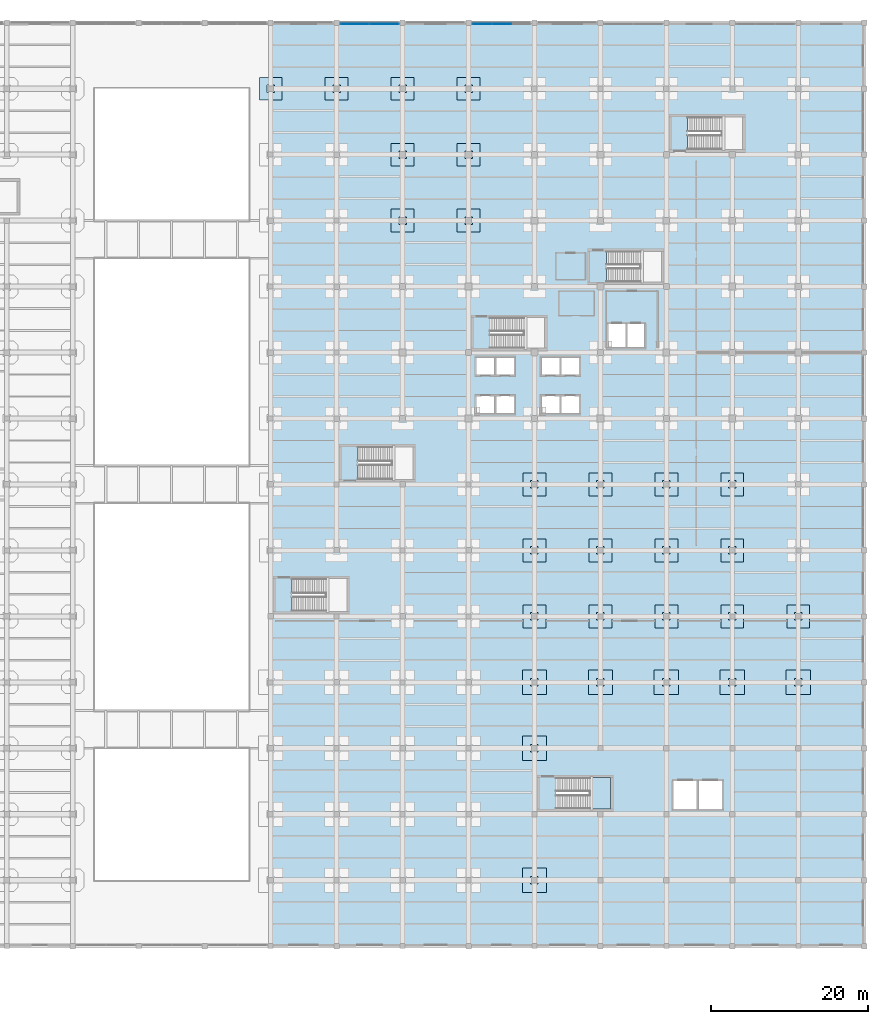
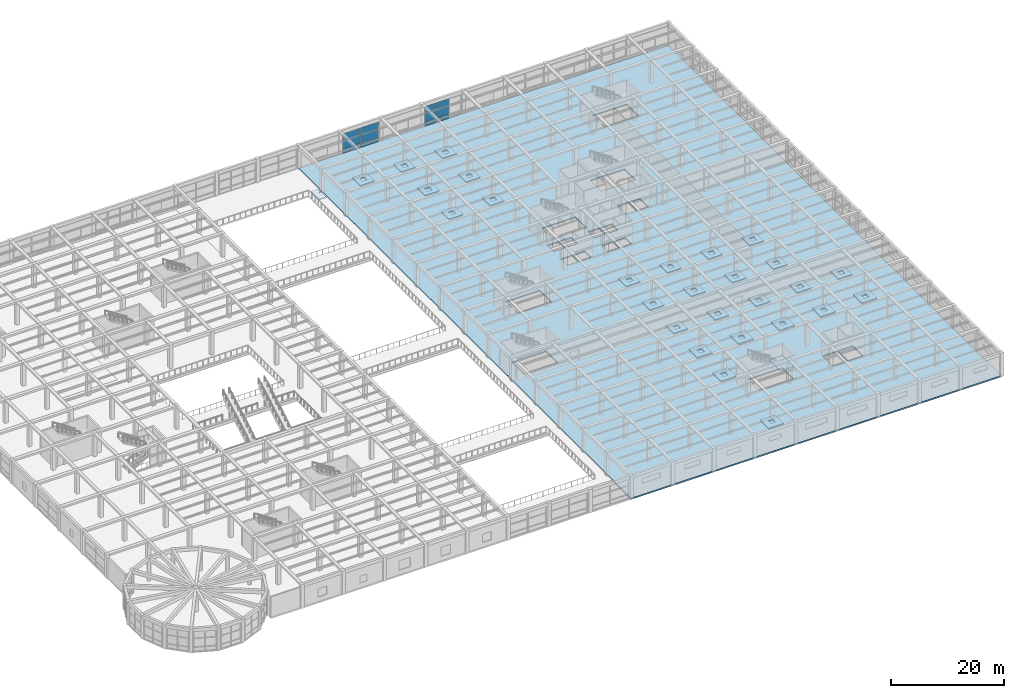
# One storey, part 74 of 96: 30 slabs, 12 plates, 3 elements without a shape of their own.
"""IFC4 building model written with IfcOpenShell, lengths in metres."""

from ifc_helpers import new_model, si_unit, direction, frame, origin, origin_2d, place, context, subcontext, project, spatial, polyline, rectangle, outline, extrude, material, layer, layer_set, type_object, element, aggregate, save


model = new_model("IFC4")

# Units and contexts
model_context = context("Model", 3, precision=1e-05, world=origin(), true_north=direction((0.0, 1.0)))
body_context = subcontext(model_context, "Body", "Model", "MODEL_VIEW")
ifc_project = project(units=[si_unit("LENGTHUNIT", "METRE"), si_unit("AREAUNIT", "SQUARE_METRE"), si_unit("VOLUMEUNIT", "CUBIC_METRE"), si_unit("PLANEANGLEUNIT", "RADIAN"), si_unit("MASSUNIT", "GRAM", prefix="KILO")], contexts=[model_context])

# Site, building, storey
site_placement = place(None, origin())
site = spatial("IfcSite", under=ifc_project, at=site_placement, CompositionType="ELEMENT")
building_placement = place(site_placement, origin())
building = spatial("IfcBuilding", under=site, at=building_placement, Name="Almacenes y Pasaje Nevantli", CompositionType="ELEMENT")
storey_placement = place(building_placement, frame((0.0, 0.0, 6.0)))
storey = spatial("IfcBuildingStorey", under=building, at=storey_placement, Name="L02", CompositionType="ELEMENT", Elevation=6.0)

# Curtain wall, plates
ifc_material_1 = material(Name="Thermally Broken Aluminium and Low-E Glass", Category="aluminium")
curtain_wall_type = type_object("IfcCurtainWallType", Name="CW-STF-BLVD", PredefinedType="USERDEFINED", material=ifc_material_1)
curtain_wall_1_placement = place(storey_placement, origin())
curtain_wall_1 = element("IfcCurtainWall", 1, at=curtain_wall_1_placement, inside=storey, type_object=curtain_wall_type, Name="L02 North Boulevard Retail Curtain Wall Bay 13", ObjectType="STOREFRONT GLAZING", PredefinedType="USERDEFINED")
ifc_material_2 = material(Name="Low-E Double Glazed Insulated Unit", Category="glass")
ifc_layer_1 = layer(ifc_material_2, 0.031982421875)
ifc_layer_set_1 = layer_set([ifc_layer_1], Name="Low-E Double Glazed Insulated Unit")
plate_type = type_object("IfcPlateType", Name="PL-IGU-32", PredefinedType="CURTAIN_PANEL", material=ifc_layer_set_1)
plate_1_placement = place(storey_placement, frame((103.139892578125, 117.449951171875, 0.06005859375), z_axis=(0.0, 0.0, 1.0), x_axis=(1.0, 0.0, 0.0)))
plate_1 = element("IfcPlate", 2, at=plate_1_placement, type_object=plate_type, Name="CW-L02-008 panel 1.1", PredefinedType="CURTAIN_PANEL", context=body_context, shape_type="SweptSolid", body=[
    extrude(rectangle(XDim=3.659912109375, YDim=0.031982421875, at=origin_2d()), origin(), (0.0, 0.0, 1.0), 0.860107421875),
])
plate_2_placement = place(storey_placement, frame((103.139892578125, 117.449951171875, 0.97998046875), z_axis=(0.0, 0.0, 1.0), x_axis=(1.0, 0.0, 0.0)))
plate_2 = element("IfcPlate", 3, at=plate_2_placement, type_object=plate_type, Name="CW-L02-008 panel 1.2", PredefinedType="CURTAIN_PANEL", context=body_context, shape_type="SweptSolid", body=[
    extrude(rectangle(XDim=3.659912109375, YDim=0.031982421875, at=origin_2d()), origin(), (0.0, 0.0, 1.0), 1.840087890625),
])
plate_3_placement = place(storey_placement, frame((103.139892578125, 117.449951171875, 2.880126953125), z_axis=(0.0, 0.0, 1.0), x_axis=(1.0, 0.0, 0.0)))
plate_3 = element("IfcPlate", 4, at=plate_3_placement, type_object=plate_type, Name="CW-L02-008 panel 1.3", PredefinedType="CURTAIN_PANEL", context=body_context, shape_type="SweptSolid", body=[
    extrude(rectangle(XDim=3.659912109375, YDim=0.031982421875, at=origin_2d()), origin(), (0.0, 0.0, 1.0), 1.43994140625),
])
plate_4_placement = place(storey_placement, frame((106.860107421875, 117.449951171875, 0.06005859375), z_axis=(0.0, 0.0, 1.0), x_axis=(1.0, 0.0, 0.0)))
plate_4 = element("IfcPlate", 5, at=plate_4_placement, type_object=plate_type, Name="CW-L02-008 panel 2.1", PredefinedType="CURTAIN_PANEL", context=body_context, shape_type="SweptSolid", body=[
    extrude(rectangle(XDim=3.659912109375, YDim=0.031982421875, at=origin_2d()), origin(), (0.0, 0.0, 1.0), 0.860107421875),
])
plate_5_placement = place(storey_placement, frame((106.860107421875, 117.449951171875, 0.97998046875), z_axis=(0.0, 0.0, 1.0), x_axis=(1.0, 0.0, 0.0)))
plate_5 = element("IfcPlate", 6, at=plate_5_placement, type_object=plate_type, Name="CW-L02-008 panel 2.2", PredefinedType="CURTAIN_PANEL", context=body_context, shape_type="SweptSolid", body=[
    extrude(rectangle(XDim=3.659912109375, YDim=0.031982421875, at=origin_2d()), origin(), (0.0, 0.0, 1.0), 1.840087890625),
])
plate_6_placement = place(storey_placement, frame((106.860107421875, 117.449951171875, 2.880126953125), z_axis=(0.0, 0.0, 1.0), x_axis=(1.0, 0.0, 0.0)))
plate_6 = element("IfcPlate", 7, at=plate_6_placement, type_object=plate_type, Name="CW-L02-008 panel 2.3", PredefinedType="CURTAIN_PANEL", context=body_context, shape_type="SweptSolid", body=[
    extrude(rectangle(XDim=3.659912109375, YDim=0.031982421875, at=origin_2d()), origin(), (0.0, 0.0, 1.0), 1.43994140625),
])
aggregate(curtain_wall_1, [plate_1, plate_2, plate_3, plate_4, plate_5, plate_6])

curtain_wall_2_placement = place(storey_placement, origin())
curtain_wall_2 = element("IfcCurtainWall", 8, at=curtain_wall_2_placement, inside=storey, type_object=curtain_wall_type, Name="L02 North Boulevard Retail Curtain Wall Bay 15", ObjectType="STOREFRONT GLAZING", PredefinedType="USERDEFINED")
plate_7_placement = place(storey_placement, frame((119.31494140625, 117.449951171875, 0.06005859375), z_axis=(0.0, 0.0, 1.0), x_axis=(1.0, 0.0, 0.0)))
plate_7 = element("IfcPlate", 9, at=plate_7_placement, type_object=plate_type, Name="CW-L02-009 panel 1.1", PredefinedType="CURTAIN_PANEL", context=body_context, shape_type="SweptSolid", body=[
    extrude(rectangle(XDim=2.409912109375, YDim=0.031982421875, at=origin_2d()), origin(), (0.0, 0.0, 1.0), 0.860107421875),
])
plate_8_placement = place(storey_placement, frame((119.31494140625, 117.449951171875, 0.97998046875), z_axis=(0.0, 0.0, 1.0), x_axis=(1.0, 0.0, 0.0)))
plate_8 = element("IfcPlate", 10, at=plate_8_placement, type_object=plate_type, Name="CW-L02-009 panel 1.2", PredefinedType="CURTAIN_PANEL", context=body_context, shape_type="SweptSolid", body=[
    extrude(rectangle(XDim=2.409912109375, YDim=0.031982421875, at=origin_2d()), origin(), (0.0, 0.0, 1.0), 1.840087890625),
])
plate_9_placement = place(storey_placement, frame((119.31494140625, 117.449951171875, 2.880126953125), z_axis=(0.0, 0.0, 1.0), x_axis=(1.0, 0.0, 0.0)))
plate_9 = element("IfcPlate", 11, at=plate_9_placement, type_object=plate_type, Name="CW-L02-009 panel 1.3", PredefinedType="CURTAIN_PANEL", context=body_context, shape_type="SweptSolid", body=[
    extrude(rectangle(XDim=2.409912109375, YDim=0.031982421875, at=origin_2d()), origin(), (0.0, 0.0, 1.0), 1.43994140625),
])
plate_10_placement = place(storey_placement, frame((121.800048828125, 117.449951171875, 0.06005859375), z_axis=(0.0, 0.0, 1.0), x_axis=(1.0, 0.0, 0.0)))
plate_10 = element("IfcPlate", 12, at=plate_10_placement, type_object=plate_type, Name="CW-L02-009 panel 2.1", PredefinedType="CURTAIN_PANEL", context=body_context, shape_type="SweptSolid", body=[
    extrude(rectangle(XDim=2.43994140625, YDim=0.031982421875, at=origin_2d()), origin(), (0.0, 0.0, 1.0), 0.860107421875),
])
plate_11_placement = place(storey_placement, frame((121.800048828125, 117.449951171875, 0.97998046875), z_axis=(0.0, 0.0, 1.0), x_axis=(1.0, 0.0, 0.0)))
plate_11 = element("IfcPlate", 13, at=plate_11_placement, type_object=plate_type, Name="CW-L02-009 panel 2.2", PredefinedType="CURTAIN_PANEL", context=body_context, shape_type="SweptSolid", body=[
    extrude(rectangle(XDim=2.43994140625, YDim=0.031982421875, at=origin_2d()), origin(), (0.0, 0.0, 1.0), 1.840087890625),
])
plate_12_placement = place(storey_placement, frame((121.800048828125, 117.449951171875, 2.880126953125), z_axis=(0.0, 0.0, 1.0), x_axis=(1.0, 0.0, 0.0)))
plate_12 = element("IfcPlate", 14, at=plate_12_placement, type_object=plate_type, Name="CW-L02-009 panel 2.3", PredefinedType="CURTAIN_PANEL", context=body_context, shape_type="SweptSolid", body=[
    extrude(rectangle(XDim=2.43994140625, YDim=0.031982421875, at=origin_2d()), origin(), (0.0, 0.0, 1.0), 1.43994140625),
])
aggregate(curtain_wall_2, [plate_7, plate_8, plate_9, plate_10, plate_11, plate_12])

# Slabs
ifc_material_3 = material(Name="Concrete C35/45", Category="concrete")
ifc_layer_2 = layer(ifc_material_3, 0.25)
ifc_layer_set_2 = layer_set([ifc_layer_2], Name="Concrete C35/45")
slab_type_1 = type_object("IfcSlabType", Name="SLB-DP-250", PredefinedType="USERDEFINED", material=ifc_layer_set_2)
slab_1_placement = place(storey_placement, frame((0.0, 0.0, -0.550048828125)))
element("IfcSlab", 15, at=slab_1_placement, inside=storey, type_object=slab_type_1, Name="L02 Punching-Shear Drop Panel DP-02 #491", ObjectType="DROP PANEL", PredefinedType="USERDEFINED", context=body_context, shape_type="SweptSolid", body=[
    extrude(outline(polyline([(90.949951171875, 107.75), (93.85009765625, 107.75), (93.85009765625, 110.64990234375), (90.949951171875, 110.64990234375), (90.949951171875, 107.75)]), holes=[polyline([(91.919921875, 108.719970703125), (92.8798828125, 108.719970703125), (92.8798828125, 109.679931640625), (91.919921875, 109.679931640625), (91.919921875, 108.719970703125)])]), origin(), (0.0, 0.0, 1.0), 0.25),
])
slab_2_placement = place(storey_placement, frame((0.0, 0.0, -0.550048828125)))
element("IfcSlab", 16, at=slab_2_placement, inside=storey, type_object=slab_type_1, Name="L02 Punching-Shear Drop Panel DP-02 #502", ObjectType="DROP PANEL", PredefinedType="USERDEFINED", context=body_context, shape_type="SweptSolid", body=[
    extrude(outline(polyline([(99.35009765625, 107.75), (102.25, 107.75), (102.25, 110.64990234375), (99.35009765625, 110.64990234375), (99.35009765625, 107.75)]), holes=[polyline([(100.320068359375, 108.719970703125), (101.280029296875, 108.719970703125), (101.280029296875, 109.679931640625), (100.320068359375, 109.679931640625), (100.320068359375, 108.719970703125)])]), origin(), (0.0, 0.0, 1.0), 0.25),
])
slab_3_placement = place(storey_placement, frame((0.0, 0.0, -0.550048828125)))
element("IfcSlab", 17, at=slab_3_placement, inside=storey, type_object=slab_type_1, Name="L02 Punching-Shear Drop Panel DP-02 #512", ObjectType="DROP PANEL", PredefinedType="USERDEFINED", context=body_context, shape_type="SweptSolid", body=[
    extrude(outline(polyline([(107.75, 90.949951171875), (110.64990234375, 90.949951171875), (110.64990234375, 93.85009765625), (107.75, 93.85009765625), (107.75, 90.949951171875)]), holes=[polyline([(108.719970703125, 91.919921875), (109.679931640625, 91.919921875), (109.679931640625, 92.8798828125), (108.719970703125, 92.8798828125), (108.719970703125, 91.919921875)])]), origin(), (0.0, 0.0, 1.0), 0.25),
])
slab_4_placement = place(storey_placement, frame((0.0, 0.0, -0.550048828125)))
element("IfcSlab", 18, at=slab_4_placement, inside=storey, type_object=slab_type_1, Name="L02 Punching-Shear Drop Panel DP-02 #513", ObjectType="DROP PANEL", PredefinedType="USERDEFINED", context=body_context, shape_type="SweptSolid", body=[
    extrude(outline(polyline([(107.75, 99.35009765625), (110.64990234375, 99.35009765625), (110.64990234375, 102.25), (107.75, 102.25), (107.75, 99.35009765625)]), holes=[polyline([(108.719970703125, 100.320068359375), (109.679931640625, 100.320068359375), (109.679931640625, 101.280029296875), (108.719970703125, 101.280029296875), (108.719970703125, 100.320068359375)])]), origin(), (0.0, 0.0, 1.0), 0.25),
])
slab_5_placement = place(storey_placement, frame((0.0, 0.0, -0.550048828125)))
element("IfcSlab", 19, at=slab_5_placement, inside=storey, type_object=slab_type_1, Name="L02 Punching-Shear Drop Panel DP-02 #514", ObjectType="DROP PANEL", PredefinedType="USERDEFINED", context=body_context, shape_type="SweptSolid", body=[
    extrude(outline(polyline([(107.75, 107.75), (110.64990234375, 107.75), (110.64990234375, 110.64990234375), (107.75, 110.64990234375), (107.75, 107.75)]), holes=[polyline([(108.719970703125, 108.719970703125), (109.679931640625, 108.719970703125), (109.679931640625, 109.679931640625), (108.719970703125, 109.679931640625), (108.719970703125, 108.719970703125)])]), origin(), (0.0, 0.0, 1.0), 0.25),
])
slab_6_placement = place(storey_placement, frame((0.0, 0.0, -0.550048828125)))
element("IfcSlab", 20, at=slab_6_placement, inside=storey, type_object=slab_type_1, Name="L02 Punching-Shear Drop Panel DP-02 #524", ObjectType="DROP PANEL", PredefinedType="USERDEFINED", context=body_context, shape_type="SweptSolid", body=[
    extrude(outline(polyline([(116.14990234375, 90.949951171875), (119.050048828125, 90.949951171875), (119.050048828125, 93.85009765625), (116.14990234375, 93.85009765625), (116.14990234375, 90.949951171875)]), holes=[polyline([(117.1201171875, 91.919921875), (118.080078125, 91.919921875), (118.080078125, 92.8798828125), (117.1201171875, 92.8798828125), (117.1201171875, 91.919921875)])]), origin(), (0.0, 0.0, 1.0), 0.25),
])
slab_7_placement = place(storey_placement, frame((0.0, 0.0, -0.550048828125)))
element("IfcSlab", 21, at=slab_7_placement, inside=storey, type_object=slab_type_1, Name="L02 Punching-Shear Drop Panel DP-02 #525", ObjectType="DROP PANEL", PredefinedType="USERDEFINED", context=body_context, shape_type="SweptSolid", body=[
    extrude(outline(polyline([(116.14990234375, 99.35009765625), (119.050048828125, 99.35009765625), (119.050048828125, 102.25), (116.14990234375, 102.25), (116.14990234375, 99.35009765625)]), holes=[polyline([(117.1201171875, 100.320068359375), (118.080078125, 100.320068359375), (118.080078125, 101.280029296875), (117.1201171875, 101.280029296875), (117.1201171875, 100.320068359375)])]), origin(), (0.0, 0.0, 1.0), 0.25),
])
slab_8_placement = place(storey_placement, frame((0.0, 0.0, -0.550048828125)))
element("IfcSlab", 22, at=slab_8_placement, inside=storey, type_object=slab_type_1, Name="L02 Punching-Shear Drop Panel DP-02 #526", ObjectType="DROP PANEL", PredefinedType="USERDEFINED", context=body_context, shape_type="SweptSolid", body=[
    extrude(outline(polyline([(116.14990234375, 107.75), (119.050048828125, 107.75), (119.050048828125, 110.64990234375), (116.14990234375, 110.64990234375), (116.14990234375, 107.75)]), holes=[polyline([(117.1201171875, 108.719970703125), (118.080078125, 108.719970703125), (118.080078125, 109.679931640625), (117.1201171875, 109.679931640625), (117.1201171875, 108.719970703125)])]), origin(), (0.0, 0.0, 1.0), 0.25),
])
slab_9_placement = place(storey_placement, frame((0.0, 0.0, -0.550048828125)))
element("IfcSlab", 23, at=slab_9_placement, inside=storey, type_object=slab_type_1, Name="L02 Punching-Shear Drop Panel DP-02 #530", ObjectType="DROP PANEL", PredefinedType="USERDEFINED", context=body_context, shape_type="SweptSolid", body=[
    extrude(outline(polyline([(124.550048828125, 40.550048828125), (127.449951171875, 40.550048828125), (127.449951171875, 43.449951171875), (124.550048828125, 43.449951171875), (124.550048828125, 40.550048828125)]), holes=[polyline([(125.52001953125, 41.52001953125), (126.47998046875, 41.52001953125), (126.47998046875, 42.47998046875), (125.52001953125, 42.47998046875), (125.52001953125, 41.52001953125)])]), origin(), (0.0, 0.0, 1.0), 0.25),
])
slab_10_placement = place(storey_placement, frame((0.0, 0.0, -0.550048828125)))
element("IfcSlab", 24, at=slab_10_placement, inside=storey, type_object=slab_type_1, Name="L02 Punching-Shear Drop Panel DP-02 #531", ObjectType="DROP PANEL", PredefinedType="USERDEFINED", context=body_context, shape_type="SweptSolid", body=[
    extrude(outline(polyline([(124.550048828125, 48.949951171875), (127.449951171875, 48.949951171875), (127.449951171875, 51.85009765625), (124.550048828125, 51.85009765625), (124.550048828125, 48.949951171875)]), holes=[polyline([(125.52001953125, 49.919921875), (126.47998046875, 49.919921875), (126.47998046875, 50.8798828125), (125.52001953125, 50.8798828125), (125.52001953125, 49.919921875)])]), origin(), (0.0, 0.0, 1.0), 0.25),
])
slab_11_placement = place(storey_placement, frame((0.0, 0.0, -0.550048828125)))
element("IfcSlab", 25, at=slab_11_placement, inside=storey, type_object=slab_type_1, Name="L02 Punching-Shear Drop Panel DP-02 #532", ObjectType="DROP PANEL", PredefinedType="USERDEFINED", context=body_context, shape_type="SweptSolid", body=[
    extrude(outline(polyline([(124.550048828125, 57.35009765625), (127.449951171875, 57.35009765625), (127.449951171875, 60.25), (124.550048828125, 60.25), (124.550048828125, 57.35009765625)]), holes=[polyline([(125.52001953125, 58.320068359375), (126.47998046875, 58.320068359375), (126.47998046875, 59.280029296875), (125.52001953125, 59.280029296875), (125.52001953125, 58.320068359375)])]), origin(), (0.0, 0.0, 1.0), 0.25),
])
slab_12_placement = place(storey_placement, frame((0.0, 0.0, -0.550048828125)))
element("IfcSlab", 26, at=slab_12_placement, inside=storey, type_object=slab_type_1, Name="L02 Punching-Shear Drop Panel DP-02 #539", ObjectType="DROP PANEL", PredefinedType="USERDEFINED", context=body_context, shape_type="SweptSolid", body=[
    extrude(outline(polyline([(132.949951171875, 40.550048828125), (135.85009765625, 40.550048828125), (135.85009765625, 43.449951171875), (132.949951171875, 43.449951171875), (132.949951171875, 40.550048828125)]), holes=[polyline([(133.919921875, 41.52001953125), (134.8798828125, 41.52001953125), (134.8798828125, 42.47998046875), (133.919921875, 42.47998046875), (133.919921875, 41.52001953125)])]), origin(), (0.0, 0.0, 1.0), 0.25),
])
slab_13_placement = place(storey_placement, frame((0.0, 0.0, -0.550048828125)))
element("IfcSlab", 27, at=slab_13_placement, inside=storey, type_object=slab_type_1, Name="L02 Punching-Shear Drop Panel DP-02 #540", ObjectType="DROP PANEL", PredefinedType="USERDEFINED", context=body_context, shape_type="SweptSolid", body=[
    extrude(outline(polyline([(132.949951171875, 48.949951171875), (135.85009765625, 48.949951171875), (135.85009765625, 51.85009765625), (132.949951171875, 51.85009765625), (132.949951171875, 48.949951171875)]), holes=[polyline([(133.919921875, 49.919921875), (134.8798828125, 49.919921875), (134.8798828125, 50.8798828125), (133.919921875, 50.8798828125), (133.919921875, 49.919921875)])]), origin(), (0.0, 0.0, 1.0), 0.25),
])
slab_14_placement = place(storey_placement, frame((0.0, 0.0, -0.550048828125)))
element("IfcSlab", 28, at=slab_14_placement, inside=storey, type_object=slab_type_1, Name="L02 Punching-Shear Drop Panel DP-02 #541", ObjectType="DROP PANEL", PredefinedType="USERDEFINED", context=body_context, shape_type="SweptSolid", body=[
    extrude(outline(polyline([(132.949951171875, 57.35009765625), (135.85009765625, 57.35009765625), (135.85009765625, 60.25), (132.949951171875, 60.25), (132.949951171875, 57.35009765625)]), holes=[polyline([(133.919921875, 58.320068359375), (134.8798828125, 58.320068359375), (134.8798828125, 59.280029296875), (133.919921875, 59.280029296875), (133.919921875, 58.320068359375)])]), origin(), (0.0, 0.0, 1.0), 0.25),
])
slab_15_placement = place(storey_placement, frame((0.0, 0.0, -0.550048828125)))
element("IfcSlab", 29, at=slab_15_placement, inside=storey, type_object=slab_type_1, Name="L02 Punching-Shear Drop Panel DP-02 #548", ObjectType="DROP PANEL", PredefinedType="USERDEFINED", context=body_context, shape_type="SweptSolid", body=[
    extrude(outline(polyline([(141.35009765625, 40.550048828125), (144.25, 40.550048828125), (144.25, 43.449951171875), (141.35009765625, 43.449951171875), (141.35009765625, 40.550048828125)]), holes=[polyline([(142.320068359375, 41.52001953125), (143.280029296875, 41.52001953125), (143.280029296875, 42.47998046875), (142.320068359375, 42.47998046875), (142.320068359375, 41.52001953125)])]), origin(), (0.0, 0.0, 1.0), 0.25),
])
slab_16_placement = place(storey_placement, frame((0.0, 0.0, -0.550048828125)))
element("IfcSlab", 30, at=slab_16_placement, inside=storey, type_object=slab_type_1, Name="L02 Punching-Shear Drop Panel DP-02 #549", ObjectType="DROP PANEL", PredefinedType="USERDEFINED", context=body_context, shape_type="SweptSolid", body=[
    extrude(outline(polyline([(141.35009765625, 48.949951171875), (144.25, 48.949951171875), (144.25, 51.85009765625), (141.35009765625, 51.85009765625), (141.35009765625, 48.949951171875)]), holes=[polyline([(142.320068359375, 49.919921875), (143.280029296875, 49.919921875), (143.280029296875, 50.8798828125), (142.320068359375, 50.8798828125), (142.320068359375, 49.919921875)])]), origin(), (0.0, 0.0, 1.0), 0.25),
])
slab_17_placement = place(storey_placement, frame((0.0, 0.0, -0.550048828125)))
element("IfcSlab", 31, at=slab_17_placement, inside=storey, type_object=slab_type_1, Name="L02 Punching-Shear Drop Panel DP-02 #550", ObjectType="DROP PANEL", PredefinedType="USERDEFINED", context=body_context, shape_type="SweptSolid", body=[
    extrude(outline(polyline([(141.35009765625, 57.35009765625), (144.25, 57.35009765625), (144.25, 60.25), (141.35009765625, 60.25), (141.35009765625, 57.35009765625)]), holes=[polyline([(142.320068359375, 58.320068359375), (143.280029296875, 58.320068359375), (143.280029296875, 59.280029296875), (142.320068359375, 59.280029296875), (142.320068359375, 58.320068359375)])]), origin(), (0.0, 0.0, 1.0), 0.25),
])
slab_18_placement = place(storey_placement, frame((0.0, 0.0, -0.550048828125)))
element("IfcSlab", 32, at=slab_18_placement, inside=storey, type_object=slab_type_1, Name="L02 Punching-Shear Drop Panel DP-02 #556", ObjectType="DROP PANEL", PredefinedType="USERDEFINED", context=body_context, shape_type="SweptSolid", body=[
    extrude(outline(polyline([(149.75, 40.550048828125), (152.64990234375, 40.550048828125), (152.64990234375, 43.449951171875), (149.75, 43.449951171875), (149.75, 40.550048828125)]), holes=[polyline([(150.719970703125, 41.52001953125), (151.679931640625, 41.52001953125), (151.679931640625, 42.47998046875), (150.719970703125, 42.47998046875), (150.719970703125, 41.52001953125)])]), origin(), (0.0, 0.0, 1.0), 0.25),
])
slab_19_placement = place(storey_placement, frame((0.0, 0.0, -0.550048828125)))
element("IfcSlab", 33, at=slab_19_placement, inside=storey, type_object=slab_type_1, Name="L02 Punching-Shear Drop Panel DP-02 #557", ObjectType="DROP PANEL", PredefinedType="USERDEFINED", context=body_context, shape_type="SweptSolid", body=[
    extrude(outline(polyline([(149.75, 48.949951171875), (152.64990234375, 48.949951171875), (152.64990234375, 51.85009765625), (149.75, 51.85009765625), (149.75, 48.949951171875)]), holes=[polyline([(150.719970703125, 49.919921875), (151.679931640625, 49.919921875), (151.679931640625, 50.8798828125), (150.719970703125, 50.8798828125), (150.719970703125, 49.919921875)])]), origin(), (0.0, 0.0, 1.0), 0.25),
])
slab_20_placement = place(storey_placement, frame((0.0, 0.0, -0.550048828125)))
element("IfcSlab", 34, at=slab_20_placement, inside=storey, type_object=slab_type_1, Name="L02 Punching-Shear Drop Panel DP-02 #558", ObjectType="DROP PANEL", PredefinedType="USERDEFINED", context=body_context, shape_type="SweptSolid", body=[
    extrude(outline(polyline([(149.75, 57.35009765625), (152.64990234375, 57.35009765625), (152.64990234375, 60.25), (149.75, 60.25), (149.75, 57.35009765625)]), holes=[polyline([(150.719970703125, 58.320068359375), (151.679931640625, 58.320068359375), (151.679931640625, 59.280029296875), (150.719970703125, 59.280029296875), (150.719970703125, 58.320068359375)])]), origin(), (0.0, 0.0, 1.0), 0.25),
])
slab_21_placement = place(storey_placement, frame((0.0, 0.0, -0.550048828125)))
element("IfcSlab", 35, at=slab_21_placement, inside=storey, type_object=slab_type_1, Name="L02 Punching-Shear Drop Panel DP-02 #565", ObjectType="DROP PANEL", PredefinedType="USERDEFINED", context=body_context, shape_type="SweptSolid", body=[
    extrude(outline(polyline([(158.14990234375, 40.550048828125), (161.050048828125, 40.550048828125), (161.050048828125, 43.449951171875), (158.14990234375, 43.449951171875), (158.14990234375, 40.550048828125)]), holes=[polyline([(159.1201171875, 41.52001953125), (160.080078125, 41.52001953125), (160.080078125, 42.47998046875), (159.1201171875, 42.47998046875), (159.1201171875, 41.52001953125)])]), origin(), (0.0, 0.0, 1.0), 0.25),
])
ifc_material_4 = material(Name="Concrete C35/45", Category="concrete")
ifc_layer_3 = layer(ifc_material_4, 0.31005859375)
ifc_layer_set_3 = layer_set([ifc_layer_3], Name="Concrete C35/45")
slab_type_2 = type_object("IfcSlabType", Name="SLB-DP-310", PredefinedType="USERDEFINED", material=ifc_layer_set_3)
slab_22_placement = place(storey_placement, frame((0.0, 0.0, -0.610107421875)))
element("IfcSlab", 36, at=slab_22_placement, inside=storey, type_object=slab_type_2, Name="L02 Punching-Shear Drop Panel DP-03 #527", ObjectType="DROP PANEL", PredefinedType="USERDEFINED", context=body_context, shape_type="SweptSolid", body=[
    extrude(outline(polyline([(124.449951171875, 6.85009765625), (127.550048828125, 6.85009765625), (127.550048828125, 9.949951171875), (124.449951171875, 9.949951171875), (124.449951171875, 6.85009765625)]), holes=[polyline([(125.52001953125, 7.919921875), (126.47998046875, 7.919921875), (126.47998046875, 8.8798828125), (125.52001953125, 8.8798828125), (125.52001953125, 7.919921875)])]), origin(), (0.0, 0.0, 1.0), 0.31005859375),
])
slab_23_placement = place(storey_placement, frame((0.0, 0.0, -0.610107421875)))
element("IfcSlab", 37, at=slab_23_placement, inside=storey, type_object=slab_type_2, Name="L02 Punching-Shear Drop Panel DP-03 #528", ObjectType="DROP PANEL", PredefinedType="USERDEFINED", context=body_context, shape_type="SweptSolid", body=[
    extrude(outline(polyline([(124.449951171875, 23.64990234375), (127.550048828125, 23.64990234375), (127.550048828125, 26.75), (124.449951171875, 26.75), (124.449951171875, 23.64990234375)]), holes=[polyline([(125.52001953125, 24.719970703125), (126.47998046875, 24.719970703125), (126.47998046875, 25.679931640625), (125.52001953125, 25.679931640625), (125.52001953125, 24.719970703125)])]), origin(), (0.0, 0.0, 1.0), 0.31005859375),
])
slab_24_placement = place(storey_placement, frame((0.0, 0.0, -0.610107421875)))
element("IfcSlab", 38, at=slab_24_placement, inside=storey, type_object=slab_type_2, Name="L02 Punching-Shear Drop Panel DP-03 #529", ObjectType="DROP PANEL", PredefinedType="USERDEFINED", context=body_context, shape_type="SweptSolid", body=[
    extrude(outline(polyline([(124.449951171875, 32.050048828125), (127.550048828125, 32.050048828125), (127.550048828125, 35.14990234375), (124.449951171875, 35.14990234375), (124.449951171875, 32.050048828125)]), holes=[polyline([(125.52001953125, 33.1201171875), (126.47998046875, 33.1201171875), (126.47998046875, 34.080078125), (125.52001953125, 34.080078125), (125.52001953125, 33.1201171875)])]), origin(), (0.0, 0.0, 1.0), 0.31005859375),
])
slab_25_placement = place(storey_placement, frame((0.0, 0.0, -0.610107421875)))
element("IfcSlab", 39, at=slab_25_placement, inside=storey, type_object=slab_type_2, Name="L02 Punching-Shear Drop Panel DP-03 #538", ObjectType="DROP PANEL", PredefinedType="USERDEFINED", context=body_context, shape_type="SweptSolid", body=[
    extrude(outline(polyline([(132.85009765625, 32.050048828125), (135.949951171875, 32.050048828125), (135.949951171875, 35.14990234375), (132.85009765625, 35.14990234375), (132.85009765625, 32.050048828125)]), holes=[polyline([(133.919921875, 33.1201171875), (134.8798828125, 33.1201171875), (134.8798828125, 34.080078125), (133.919921875, 34.080078125), (133.919921875, 33.1201171875)])]), origin(), (0.0, 0.0, 1.0), 0.31005859375),
])
slab_26_placement = place(storey_placement, frame((0.0, 0.0, -0.610107421875)))
element("IfcSlab", 40, at=slab_26_placement, inside=storey, type_object=slab_type_2, Name="L02 Punching-Shear Drop Panel DP-03 #547", ObjectType="DROP PANEL", PredefinedType="USERDEFINED", context=body_context, shape_type="SweptSolid", body=[
    extrude(outline(polyline([(141.25, 32.050048828125), (144.35009765625, 32.050048828125), (144.35009765625, 35.14990234375), (141.25, 35.14990234375), (141.25, 32.050048828125)]), holes=[polyline([(142.320068359375, 33.1201171875), (143.280029296875, 33.1201171875), (143.280029296875, 34.080078125), (142.320068359375, 34.080078125), (142.320068359375, 33.1201171875)])]), origin(), (0.0, 0.0, 1.0), 0.31005859375),
])
slab_27_placement = place(storey_placement, frame((0.0, 0.0, -0.610107421875)))
element("IfcSlab", 41, at=slab_27_placement, inside=storey, type_object=slab_type_2, Name="L02 Punching-Shear Drop Panel DP-03 #555", ObjectType="DROP PANEL", PredefinedType="USERDEFINED", context=body_context, shape_type="SweptSolid", body=[
    extrude(outline(polyline([(149.64990234375, 32.050048828125), (152.75, 32.050048828125), (152.75, 35.14990234375), (149.64990234375, 35.14990234375), (149.64990234375, 32.050048828125)]), holes=[polyline([(150.719970703125, 33.1201171875), (151.679931640625, 33.1201171875), (151.679931640625, 34.080078125), (150.719970703125, 34.080078125), (150.719970703125, 33.1201171875)])]), origin(), (0.0, 0.0, 1.0), 0.31005859375),
])
slab_28_placement = place(storey_placement, frame((0.0, 0.0, -0.610107421875)))
element("IfcSlab", 42, at=slab_28_placement, inside=storey, type_object=slab_type_2, Name="L02 Punching-Shear Drop Panel DP-03 #564", ObjectType="DROP PANEL", PredefinedType="USERDEFINED", context=body_context, shape_type="SweptSolid", body=[
    extrude(outline(polyline([(158.050048828125, 32.050048828125), (161.14990234375, 32.050048828125), (161.14990234375, 35.14990234375), (158.050048828125, 35.14990234375), (158.050048828125, 32.050048828125)]), holes=[polyline([(159.1201171875, 33.1201171875), (160.080078125, 33.1201171875), (160.080078125, 34.080078125), (159.1201171875, 34.080078125), (159.1201171875, 33.1201171875)])]), origin(), (0.0, 0.0, 1.0), 0.31005859375),
])
ifc_material_5 = material(Name="Concrete C35/45", Category="concrete")
ifc_layer_4 = layer(ifc_material_5, 0.300048828125)
ifc_layer_set_4 = layer_set([ifc_layer_4], Name="Concrete C35/45")
slab_type_3 = type_object("IfcSlabType", Name="SLB-FLR-300", PredefinedType="FLOOR", material=ifc_layer_set_4)
slab_29_placement = place(storey_placement, frame((0.0, 0.0, -0.300048828125)))
element("IfcSlab", 43, at=slab_29_placement, inside=storey, type_object=slab_type_3, Name="L02 East Podium Retail and Tower Core Slab", PredefinedType="FLOOR", context=body_context, shape_type="SweptSolid", body=[
    extrude(outline(polyline([(92.39990234375, 0.0), (168.0, 0.0), (168.0, 117.60009765625), (92.39990234375, 117.60009765625), (92.39990234375, 0.0)]), holes=[polyline([(120.31494140625, 76.14990234375), (127.300048828125, 76.14990234375), (127.300048828125, 80.0400390625), (120.31494140625, 80.0400390625), (120.31494140625, 76.14990234375)]), polyline([(135.1650390625, 84.60009765625), (142.14990234375, 84.60009765625), (142.14990234375, 88.489990234375), (135.1650390625, 88.489990234375), (135.1650390625, 84.60009765625)]), polyline([(128.715087890625, 17.5), (135.699951171875, 17.5), (135.699951171875, 21.449951171875), (128.715087890625, 21.449951171875), (128.715087890625, 17.5)]), polyline([(145.514892578125, 101.449951171875), (152.5, 101.449951171875), (152.5, 105.60009765625), (145.514892578125, 105.60009765625), (145.514892578125, 101.449951171875)]), polyline([(95.114990234375, 42.64990234375), (102.10009765625, 42.64990234375), (102.10009765625, 46.800048828125), (95.114990234375, 46.800048828125), (95.114990234375, 42.64990234375)]), polyline([(103.514892578125, 59.449951171875), (110.5, 59.449951171875), (110.5, 63.60009765625), (103.514892578125, 63.60009765625), (103.514892578125, 59.449951171875)]), polyline([(126.89990234375, 67.85009765625), (129.199951171875, 67.85009765625), (129.199951171875, 70.050048828125), (126.89990234375, 70.050048828125), (126.89990234375, 67.85009765625)]), polyline([(129.39990234375, 67.85009765625), (131.699951171875, 67.85009765625), (131.699951171875, 70.050048828125), (129.39990234375, 70.050048828125), (129.39990234375, 67.85009765625)]), polyline([(126.89990234375, 72.75), (129.199951171875, 72.75), (129.199951171875, 74.949951171875), (126.89990234375, 74.949951171875), (126.89990234375, 72.75)]), polyline([(129.39990234375, 72.75), (131.699951171875, 72.75), (131.699951171875, 74.949951171875), (129.39990234375, 74.949951171875), (129.39990234375, 72.75)]), polyline([(118.60009765625, 67.85009765625), (120.89990234375, 67.85009765625), (120.89990234375, 70.050048828125), (118.60009765625, 70.050048828125), (118.60009765625, 67.85009765625)]), polyline([(121.10009765625, 67.85009765625), (123.39990234375, 67.85009765625), (123.39990234375, 70.050048828125), (121.10009765625, 70.050048828125), (121.10009765625, 67.85009765625)]), polyline([(118.60009765625, 72.75), (120.89990234375, 72.75), (120.89990234375, 74.949951171875), (118.60009765625, 74.949951171875), (118.60009765625, 72.75)]), polyline([(121.10009765625, 72.75), (123.39990234375, 72.75), (123.39990234375, 74.949951171875), (121.10009765625, 74.949951171875), (121.10009765625, 72.75)]), polyline([(135.39990234375, 76.25), (137.60009765625, 76.25), (137.60009765625, 79.25), (135.39990234375, 79.25), (135.39990234375, 76.25)]), polyline([(137.800048828125, 76.25), (140.0, 76.25), (140.0, 79.25), (137.800048828125, 79.25), (137.800048828125, 76.25)]), polyline([(143.699951171875, 17.449951171875), (146.699951171875, 17.449951171875), (146.699951171875, 21.050048828125), (143.699951171875, 21.050048828125), (143.699951171875, 17.449951171875)]), polyline([(146.89990234375, 17.449951171875), (149.89990234375, 17.449951171875), (149.89990234375, 21.050048828125), (146.89990234375, 21.050048828125), (146.89990234375, 17.449951171875)])]), origin(), (0.0, 0.0, 1.0), 0.300048828125),
])

# Stair, slab
ifc_material_6 = material(Name="Concrete C35/45", Category="concrete")
stair_type = type_object("IfcStairType", Name="STR-CORE-1750", PredefinedType="HALF_TURN_STAIR", material=ifc_material_6)
stair_placement = place(storey_placement, origin())
stair = element("IfcStair", 44, at=stair_placement, inside=storey, type_object=stair_type, Name="L02 Staircase ST-06", PredefinedType="HALF_TURN_STAIR")
ifc_material_7 = material(Name="Concrete C35/45", Category="concrete")
ifc_layer_5 = layer(ifc_material_7, 0.199951171875)
ifc_layer_set_5 = layer_set([ifc_layer_5], Name="Concrete C35/45")
slab_type_4 = type_object("IfcSlabType", Name="SLB-LAND-200", PredefinedType="LANDING", material=ifc_layer_set_5)
slab_30_placement = place(storey_placement, frame((0.0, 0.0, 2.5)))
slab_30 = element("IfcSlab", 45, at=slab_30_placement, type_object=slab_type_4, Name="ST-06-L02 landing 1", PredefinedType="LANDING", context=body_context, shape_type="SweptSolid", body=[
    extrude(outline(polyline([(133.034912109375, 17.5), (135.699951171875, 17.5), (135.699951171875, 21.449951171875), (133.034912109375, 21.449951171875), (133.034912109375, 17.5)])), origin(), (0.0, 0.0, 1.0), 0.199951171875),
])
aggregate(stair, [slab_30])

save(model, "model.ifc")
